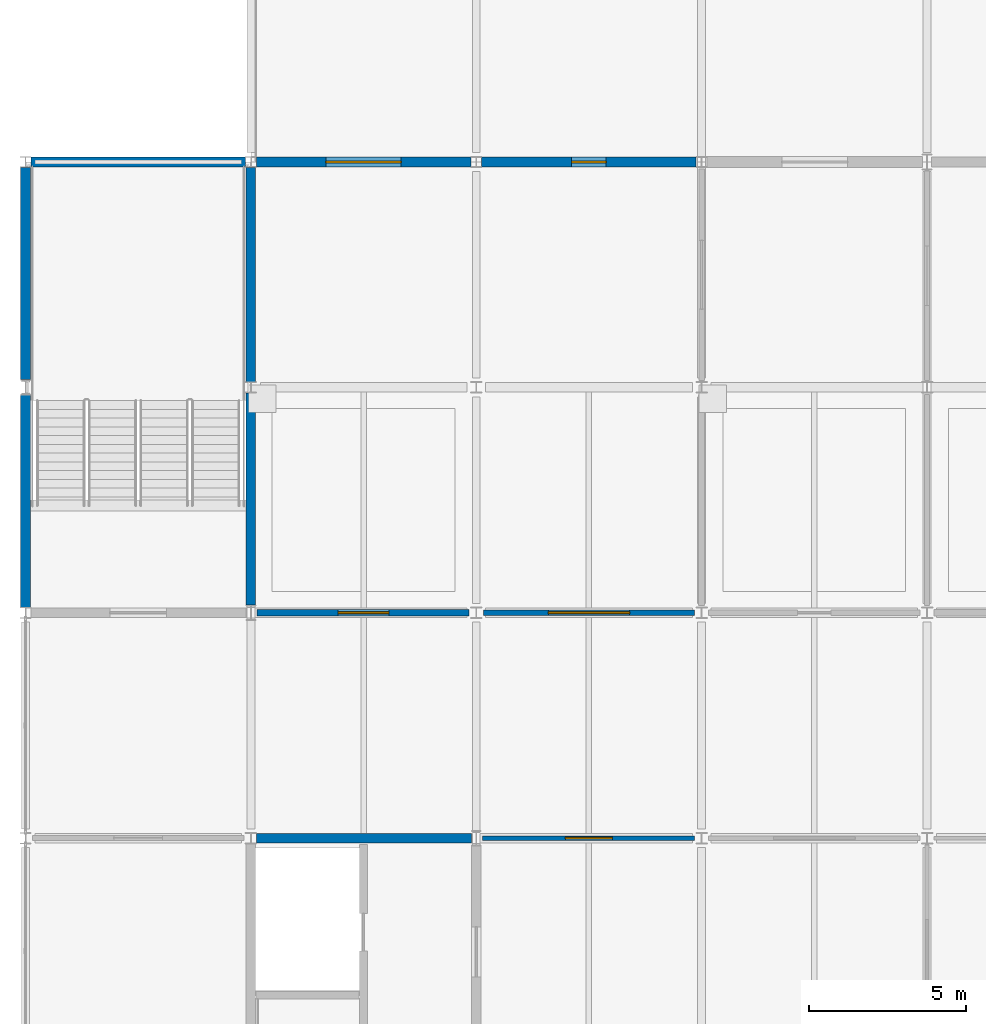
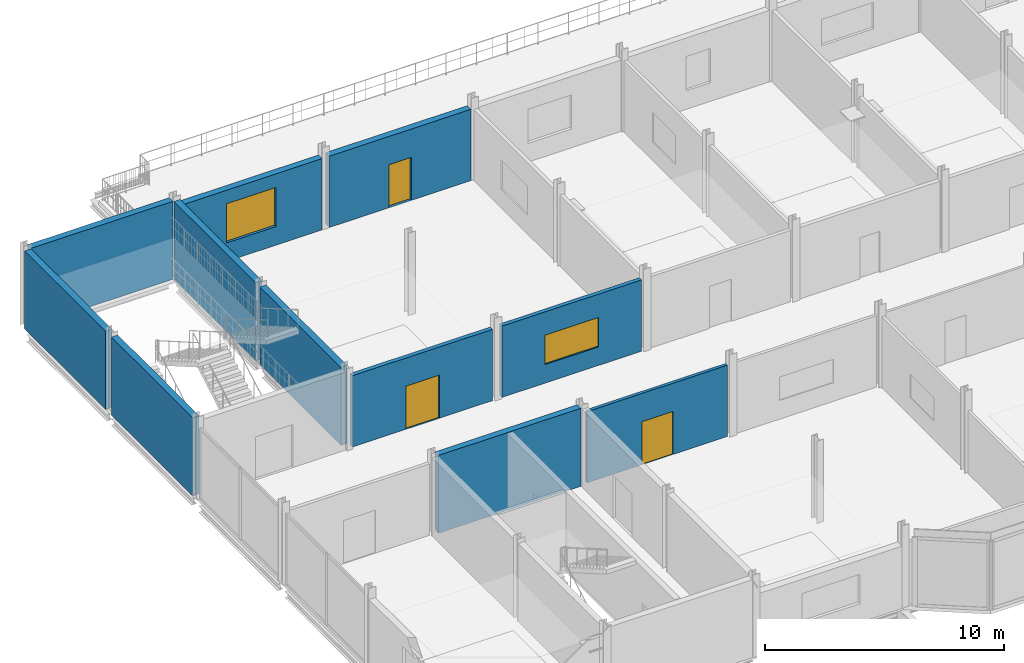
# One storey, part 19 of 26: 11 walls, 3 doors, 2 windows, 5 openings.
"""IFC4 building model written with IfcOpenShell, lengths in metres."""

from ifc_helpers import new_model, si_unit, direction, frame, frame_2d, origin, place, context, subcontext, project, spatial, rectangle, extrude, material, layer, layer_set, type_object, element, fill, save


model = new_model("IFC4")

# Units and contexts
model_context = context("Model", 3, precision=1e-05, world=origin(), true_north=direction((0.0, 1.0)))
body_context = subcontext(model_context, "Body", "Model", "MODEL_VIEW")
ifc_project = project(units=[si_unit("LENGTHUNIT", "METRE"), si_unit("AREAUNIT", "SQUARE_METRE"), si_unit("VOLUMEUNIT", "CUBIC_METRE"), si_unit("PLANEANGLEUNIT", "RADIAN"), si_unit("MASSUNIT", "GRAM", prefix="KILO")], contexts=[model_context])

# Site, building, storey
site_placement = place(None, origin())
site = spatial("IfcSite", under=ifc_project, at=site_placement, CompositionType="ELEMENT")
building_placement = place(site_placement, origin())
building = spatial("IfcBuilding", under=site, at=building_placement, Name="Vesperath Aquatics Centre", CompositionType="ELEMENT")
storey_placement = place(building_placement, frame((0.0, 0.0, 19.199951171875)))
storey = spatial("IfcBuildingStorey", under=building, at=storey_placement, Name="L04", CompositionType="ELEMENT", Elevation=19.199951171875)

# Wall, opening, window
ifc_material_1 = material(Name="Terrace pavilion insulated masonry wall", Category="masonry")
ifc_layer_1 = layer(ifc_material_1, 0.31005859375)
ifc_layer_set_1 = layer_set([ifc_layer_1], Name="Terrace pavilion insulated masonry wall")
wall_type_1 = type_object("IfcWallType", Name="WL-EW05", PredefinedType="SOLIDWALL", material=ifc_layer_set_1)
wall_1_placement = place(storey_placement, frame((122.574951171875, 36.0, 0.0), z_axis=(0.0, 0.0, 1.0), x_axis=(1.0, 0.0, 0.0)))
wall_1 = element("IfcWall", 1, at=wall_1_placement, inside=storey, type_object=wall_type_1, Name="Exterior Wall EW05 L04_N_17_05", PredefinedType="SOLIDWALL", context=body_context, shape_type="SweptSolid", body=[
    extrude(rectangle(XDim=6.85009765625, YDim=0.31005859375, at=frame_2d((3.425048828125, 0.0))), origin(), (0.0, 0.0, 1.0), 3.64013671875),
])
opening_1_placement = place(wall_1_placement, frame((2.22509765625, 0.0, 0.949951171875)))
opening_1 = element("IfcOpeningElement", 2, at=opening_1_placement, cuts=wall_1, Name="Opening W05", PredefinedType="OPENING", context=body_context, shape_type="SweptSolid", body=[
    extrude(rectangle(XDim=2.39990234375, YDim=2.0, at=frame_2d((1.199951171875, 1.0))), frame((0.0, 0.169921875, 0.0), z_axis=(0.0, -1.0, 0.0), x_axis=(1.0, 0.0, 0.0)), (0.0, 0.0, 1.0), 0.33984375),
])
ifc_material_2 = material(Name="Thermally broken aluminium triple-glazed window", Category="aluminium")
window_type_1 = type_object("IfcWindowType", Name="WN-W05", PartitioningType="SINGLE_PANEL", PredefinedType="WINDOW", material=ifc_material_2)
window_1_placement = place(opening_1_placement, origin())
window_1 = element("IfcWindow", 3, at=window_1_placement, inside=storey, type_object=window_type_1, Name="Deep-Reveal Casement Window W05 L04_N_17_05", OverallHeight=2.0, OverallWidth=2.39990234375, PartitioningType="SINGLE_PANEL", PredefinedType="WINDOW", context=body_context, shape_type="SweptSolid", body=[
    extrude(rectangle(XDim=2.39990234375, YDim=2.0, at=frame_2d((1.199951171875, 1.0))), frame((0.0, 0.030029296875, 0.0), z_axis=(0.0, -1.0, 0.0), x_axis=(1.0, 0.0, 0.0)), (0.0, 0.0, 1.0), 0.06005859375),
])
fill(opening_1, window_1)

# Wall, opening, door
wall_2_placement = place(storey_placement, frame((129.77490234375, 36.0, 0.0), z_axis=(0.0, 0.0, 1.0), x_axis=(1.0, 0.0, 0.0)))
wall_2 = element("IfcWall", 4, at=wall_2_placement, inside=storey, type_object=wall_type_1, Name="Exterior Wall EW05 L04_N_18_05", PredefinedType="SOLIDWALL", context=body_context, shape_type="SweptSolid", body=[
    extrude(rectangle(XDim=6.85009765625, YDim=0.31005859375, at=frame_2d((3.425048828125, 0.0))), origin(), (0.0, 0.0, 1.0), 3.64013671875),
])
opening_2_placement = place(wall_2_placement, frame((2.875, 0.0, 0.0)))
opening_2 = element("IfcOpeningElement", 5, at=opening_2_placement, cuts=wall_2, Name="Opening TRD2", PredefinedType="OPENING", context=body_context, shape_type="SweptSolid", body=[
    extrude(rectangle(XDim=1.10009765625, YDim=2.199951171875, at=frame_2d((0.550048828125, 1.10009765625))), frame((0.0, 0.169921875, 0.0), z_axis=(0.0, -1.0, 0.0), x_axis=(1.0, 0.0, 0.0)), (0.0, 0.0, 1.0), 0.33984375),
])
ifc_material_3 = material(Name="Thermally broken bronze-anodised glazed aluminium door", Category="aluminium")
door_type_1 = type_object("IfcDoorType", Name="DR-TR02", OperationType="NOTDEFINED", PredefinedType="DOOR", material=ifc_material_3)
door_1_placement = place(opening_2_placement, origin())
door_1 = element("IfcDoor", 6, at=door_1_placement, inside=storey, type_object=door_type_1, Name="Roof Terrace Access Door TRD2 L04_N_18_05", OperationType="SINGLE_SWING_RIGHT", OverallHeight=2.199951171875, OverallWidth=1.10009765625, PredefinedType="DOOR", context=body_context, shape_type="SweptSolid", body=[
    extrude(rectangle(XDim=1.10009765625, YDim=2.199951171875, at=frame_2d((0.550048828125, 1.10009765625))), frame((0.0, 0.02490234375, 0.0), z_axis=(0.0, -1.0, 0.0), x_axis=(1.0, 0.0, 0.0)), (0.0, 0.0, 1.0), 0.050048828125),
])
fill(opening_2, door_1)

ifc_material_4 = material(Name="Wet-village masonry block wall", Category="masonry")
ifc_layer_2 = layer(ifc_material_4, 0.199951171875)
ifc_layer_set_2 = layer_set([ifc_layer_2], Name="Wet-village masonry block wall")
wall_type_2 = type_object("IfcWallType", Name="WL-FW03", PredefinedType="SOLIDWALL", material=ifc_layer_set_2)
wall_3_placement = place(storey_placement, frame((122.60009765625, 21.60009765625, 0.0), z_axis=(0.0, 0.0, 1.0), x_axis=(1.0, 0.0, 0.0)))
wall_3 = element("IfcWall", 7, at=wall_3_placement, inside=storey, type_object=wall_type_2, Name="Interior Partition FW03 L04_SEMINAR_1-S1", PredefinedType="SOLIDWALL", context=body_context, shape_type="SweptSolid", body=[
    extrude(rectangle(XDim=6.77490234375, YDim=0.199951171875, at=frame_2d((3.387451171875, 0.0))), origin(), (0.0, 0.0, 1.0), 3.64013671875),
])
opening_3_placement = place(wall_3_placement, frame((2.590087890625, 0.0, 0.0)))
opening_3 = element("IfcOpeningElement", 8, at=opening_3_placement, cuts=wall_3, Name="Opening D21", PredefinedType="OPENING", context=body_context, shape_type="SweptSolid", body=[
    extrude(rectangle(XDim=1.6201171875, YDim=2.199951171875, at=frame_2d((0.81005859375, 1.10009765625))), frame((0.0, 0.11474609375, 0.0), z_axis=(0.0, -1.0, 0.0), x_axis=(1.0, 0.0, 0.0)), (0.0, 0.0, 1.0), 0.229736328125),
])
ifc_material_5 = material(Name="Hydrotherapy clinic glazed double door", Category="aluminium")
door_type_2 = type_object("IfcDoorType", Name="DR-RM13", OperationType="DOUBLE_SWING_LEFT", PredefinedType="DOOR", material=ifc_material_5)
door_2_placement = place(opening_3_placement, origin())
door_2 = element("IfcDoor", 9, at=door_2_placement, inside=storey, type_object=door_type_2, Name="Community Wellness Seminar Hall Door D21", OperationType="DOUBLE_SWING_LEFT", OverallHeight=2.199951171875, OverallWidth=1.6201171875, PredefinedType="DOOR", context=body_context, shape_type="SweptSolid", body=[
    extrude(rectangle(XDim=1.6201171875, YDim=2.199951171875, at=frame_2d((0.81005859375, 1.10009765625))), frame((0.0, 0.02490234375, 0.0), z_axis=(0.0, -1.0, 0.0), x_axis=(1.0, 0.0, 0.0)), (0.0, 0.0, 1.0), 0.050048828125),
])
fill(opening_3, door_2)

# Wall, opening, window
ifc_material_6 = material(Name="Plant acoustic masonry wall", Category="masonry")
ifc_layer_3 = layer(ifc_material_6, 0.18994140625)
ifc_layer_set_3 = layer_set([ifc_layer_3], Name="Plant acoustic masonry wall")
wall_type_3 = type_object("IfcWallType", Name="WL-FW04", PredefinedType="SOLIDWALL", material=ifc_layer_set_3)
wall_4_placement = place(storey_placement, frame((129.824951171875, 21.60009765625, 0.0), z_axis=(0.0, 0.0, 1.0), x_axis=(1.0, 0.0, 0.0)))
wall_4 = element("IfcWall", 10, at=wall_4_placement, inside=storey, type_object=wall_type_3, Name="Interior Partition FW04 L04_SEMINAR_1-S2", PredefinedType="SOLIDWALL", context=body_context, shape_type="SweptSolid", body=[
    extrude(rectangle(XDim=6.75, YDim=0.18994140625, at=frame_2d((3.375, 0.0))), origin(), (0.0, 0.0, 1.0), 3.64013671875),
])
opening_4_placement = place(wall_4_placement, frame((2.074951171875, 0.0, 0.949951171875)))
opening_4 = element("IfcOpeningElement", 11, at=opening_4_placement, cuts=wall_4, Name="Opening VW02", PredefinedType="OPENING", context=body_context, shape_type="SweptSolid", body=[
    extrude(rectangle(XDim=2.60009765625, YDim=1.5, at=frame_2d((1.300048828125, 0.75))), frame((0.0, 0.10986328125, 0.0), z_axis=(0.0, -1.0, 0.0), x_axis=(1.0, 0.0, 0.0)), (0.0, 0.0, 1.0), 0.2197265625),
])
ifc_material_7 = material(Name="Acoustic laminated interior viewing glazing", Category="glass")
window_type_2 = type_object("IfcWindowType", Name="WN-IW02", PartitioningType="SINGLE_PANEL", PredefinedType="WINDOW", material=ifc_material_7)
window_2_placement = place(opening_4_placement, origin())
window_2 = element("IfcWindow", 12, at=window_2_placement, inside=storey, type_object=window_type_2, Name="Interior Viewing Window VW02 L04_SEMINAR_1", OverallHeight=1.5, OverallWidth=2.60009765625, PartitioningType="SINGLE_PANEL", PredefinedType="WINDOW", context=body_context, shape_type="SweptSolid", body=[
    extrude(rectangle(XDim=2.60009765625, YDim=1.5, at=frame_2d((1.300048828125, 0.75))), frame((0.0, 0.030029296875, 0.0), z_axis=(0.0, -1.0, 0.0), x_axis=(1.0, 0.0, 0.0)), (0.0, 0.0, 1.0), 0.06005859375),
])
fill(opening_4, window_2)

# Wall, opening, door
ifc_material_8 = material(Name="Classroom acoustic partition", Category="gypsum")
ifc_layer_4 = layer(ifc_material_8, 0.14501953125)
ifc_layer_set_4 = layer_set([ifc_layer_4], Name="Classroom acoustic partition")
wall_type_4 = type_object("IfcWallType", Name="WL-IW06", PredefinedType="PARTITIONING", material=ifc_layer_set_4)
wall_5_placement = place(storey_placement, frame((129.800048828125, 14.39990234375, 0.0), z_axis=(0.0, 0.0, 1.0), x_axis=(1.0, 0.0, 0.0)))
wall_5 = element("IfcWall", 13, at=wall_5_placement, inside=storey, type_object=wall_type_4, Name="Interior Partition IW06 L04_SAUNA-N1", PredefinedType="PARTITIONING", context=body_context, shape_type="SweptSolid", body=[
    extrude(rectangle(XDim=6.77490234375, YDim=0.14501953125, at=frame_2d((3.387451171875, 0.0))), origin(), (0.0, 0.0, 1.0), 3.64013671875),
])
opening_5_placement = place(wall_5_placement, frame((2.64990234375, 0.0, 0.0)))
opening_5 = element("IfcOpeningElement", 14, at=opening_5_placement, cuts=wall_5, Name="Opening D18", PredefinedType="OPENING", context=body_context, shape_type="SweptSolid", body=[
    extrude(rectangle(XDim=1.5, YDim=2.199951171875, at=frame_2d((0.75, 1.10009765625))), frame((0.0, 0.08740234375, 0.0), z_axis=(0.0, -1.0, 0.0), x_axis=(1.0, 0.0, 0.0)), (0.0, 0.0, 1.0), 0.1748046875),
])
ifc_material_9 = material(Name="Aquatics shop glazed double door", Category="aluminium")
door_type_3 = type_object("IfcDoorType", Name="DR-RM10", OperationType="DOUBLE_SWING_LEFT", PredefinedType="DOOR", material=ifc_material_9)
door_3_placement = place(opening_5_placement, frame((1.5, 0.0, 0.0), z_axis=(0.0, 0.0, 1.0), x_axis=(-1.0, 0.0, 0.0)))
door_3 = element("IfcDoor", 15, at=door_3_placement, inside=storey, type_object=door_type_3, Name="Thermal Cedar Sauna and Steam Suite Door D18", OperationType="DOUBLE_SWING_LEFT", OverallHeight=2.199951171875, OverallWidth=1.5, PredefinedType="DOOR", context=body_context, shape_type="SweptSolid", body=[
    extrude(rectangle(XDim=1.5, YDim=2.199951171875, at=frame_2d((0.75, 1.10009765625))), frame((0.0, 0.02490234375, 0.0), z_axis=(0.0, -1.0, 0.0), x_axis=(1.0, 0.0, 0.0)), (0.0, 0.0, 1.0), 0.050048828125),
])
fill(opening_5, door_3)

# Walls
ifc_material_10 = material(Name="Concrete C40", Category="concrete")
ifc_layer_5 = layer(ifc_material_10, 0.300048828125)
ifc_layer_set_5 = layer_set([ifc_layer_5], Name="Concrete C40")
wall_type_5 = type_object("IfcWallType", Name="WL-SW01", PredefinedType="SHEAR", material=ifc_layer_set_5)
wall_6_placement = place(storey_placement, frame((122.574951171875, 14.39990234375, 0.0), z_axis=(0.0, 0.0, 1.0), x_axis=(1.0, 0.0, 0.0)))
element("IfcWall", 16, at=wall_6_placement, inside=storey, type_object=wall_type_5, Name="Core C5 North Shear Wall SW01 L04", PredefinedType="SHEAR", context=body_context, shape_type="SweptSolid", body=[
    extrude(rectangle(XDim=6.875, YDim=0.300048828125, at=frame_2d((3.4375, 0.0))), origin(), (0.0, 0.0, 1.0), 3.97998046875),
])
wall_7_placement = place(storey_placement, frame((122.39990234375, 21.843994140625, 0.0), z_axis=(0.0, 0.0, 1.0), x_axis=(0.0, 1.0, 0.0)))
element("IfcWall", 17, at=wall_7_placement, inside=storey, type_object=wall_type_5, Name="Core C7 East-1 Shear Wall SW01 L04", PredefinedType="SHEAR", context=body_context, shape_type="SweptSolid", body=[
    extrude(rectangle(XDim=6.781005859375, YDim=0.300048828125, at=frame_2d((3.390625, 0.0))), origin(), (0.0, 0.0, 1.0), 3.97998046875),
])
wall_8_placement = place(storey_placement, frame((122.39990234375, 28.97509765625, 0.0), z_axis=(0.0, 0.0, 1.0), x_axis=(0.0, 1.0, 0.0)))
element("IfcWall", 18, at=wall_8_placement, inside=storey, type_object=wall_type_5, Name="Core C7 East-2 Shear Wall SW01 L04", PredefinedType="SHEAR", context=body_context, shape_type="SweptSolid", body=[
    extrude(rectangle(XDim=6.849853515625, YDim=0.300048828125, at=frame_2d((3.4248046875, 0.0))), origin(), (0.0, 0.0, 1.0), 3.97998046875),
])
ifc_layer_6 = layer(ifc_material_10, 0.31005859375)
ifc_layer_set_6 = layer_set([ifc_layer_6], Name="Concrete C40")
wall_type_6 = type_object("IfcWallType", Name="WL-SW05", PredefinedType="SHEAR", material=ifc_layer_set_6)
wall_9_placement = place(storey_placement, frame((115.375, 36.0, 0.0), z_axis=(0.0, 0.0, 1.0), x_axis=(1.0, 0.0, 0.0)))
element("IfcWall", 19, at=wall_9_placement, inside=storey, type_object=wall_type_6, Name="Core C7 North Shear Wall SW05 L04", PredefinedType="SHEAR", context=body_context, shape_type="SweptSolid", body=[
    extrude(rectangle(XDim=6.85009765625, YDim=0.31005859375, at=frame_2d((3.425048828125, 0.0))), origin(), (0.0, 0.0, 1.0), 3.97998046875),
])
for number, where, z_axis, x_axis, name in (
    (20, (115.199951171875, 21.77490234375, 0.0), (0.0, 0.0, 1.0), (0.0, 1.0, 0.0), "Core C7 West-1 Shear Wall SW05 L04"),
    (21, (115.199951171875, 29.0439453125, 0.0), (0.0, 0.0, 1.0), (0.0, 1.0, 0.0), "Core C7 West-2 Shear Wall SW05 L04"),
):
    element("IfcWall", number, at=place(storey_placement, frame(where, z_axis=z_axis, x_axis=x_axis)), inside=storey, type_object=wall_type_6, Name=name, PredefinedType="SHEAR", context=body_context, shape_type="SweptSolid", body=[
        extrude(rectangle(XDim=6.781005859375, YDim=0.31005859375, at=frame_2d((3.390625, 0.0))), origin(), (0.0, 0.0, 1.0), 3.97998046875),
    ])

save(model, "model.ifc")
